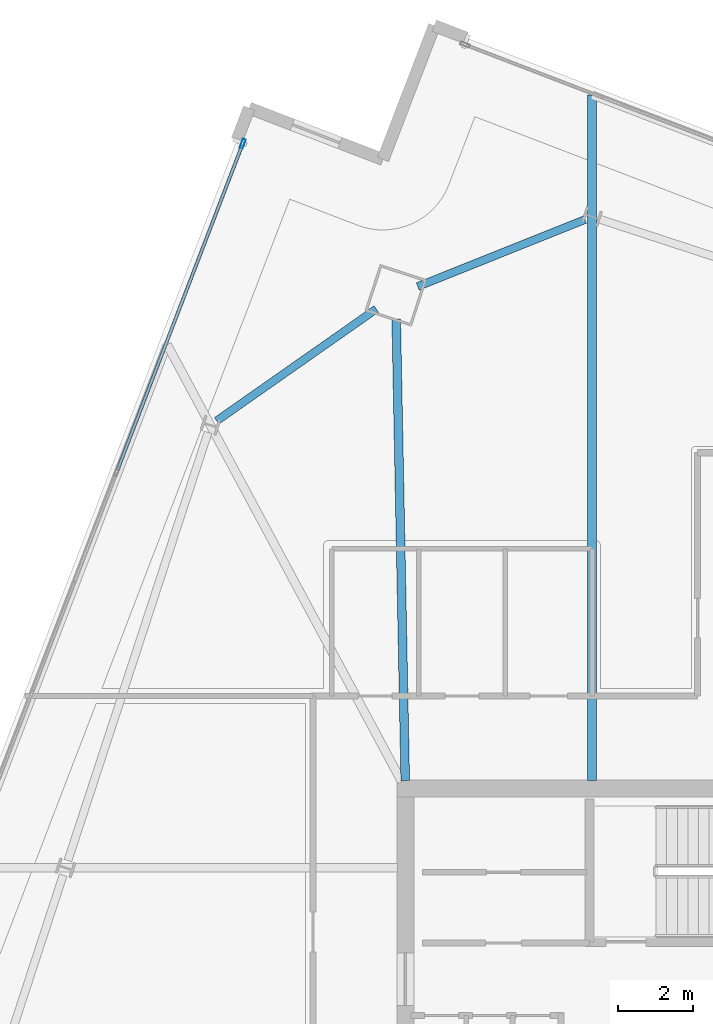
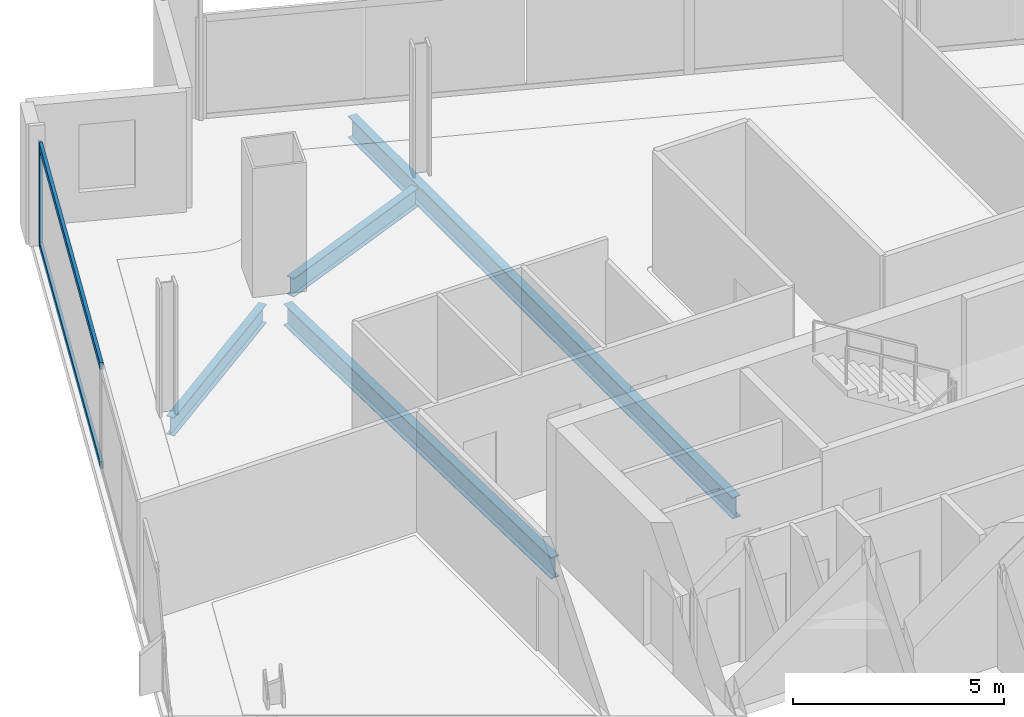
# One storey, part 13 of 27: 4 beams, 3 members, 1 element without a shape of its own.
"""IFC4 building model written with IfcOpenShell, lengths in metres."""

from ifc_helpers import new_model, si_unit, direction, frame, origin, origin_2d, place, context, subcontext, project, spatial, hollow_rectangle, i_section, extrude, material, material_profile, profile_set, type_object, element, aggregate, save


model = new_model("IFC4")

# Units and contexts
model_context = context("Model", 3, precision=1e-05, world=origin(), true_north=direction((0.0, 1.0)))
body_context = subcontext(model_context, "Body", "Model", "MODEL_VIEW")
ifc_project = project(units=[si_unit("LENGTHUNIT", "METRE"), si_unit("AREAUNIT", "SQUARE_METRE"), si_unit("VOLUMEUNIT", "CUBIC_METRE"), si_unit("PLANEANGLEUNIT", "RADIAN"), si_unit("MASSUNIT", "GRAM", prefix="KILO")], contexts=[model_context])

# Site, building, storey
site_placement = place(None, origin())
site = spatial("IfcSite", under=ifc_project, at=site_placement, CompositionType="ELEMENT")
building_placement = place(site_placement, origin())
building = spatial("IfcBuilding", under=site, at=building_placement, Name="Haldenkirk Collegiate Tower", CompositionType="ELEMENT")
storey_placement = place(building_placement, frame((0.0, 0.0, 259.949951171875)))
storey = spatial("IfcBuildingStorey", under=building, at=storey_placement, Name="L65", CompositionType="ELEMENT", Elevation=259.949951171875)

# Beams
ifc_material_1 = material(Name="Steel ASTM A992 Grade 50", Category="steel")
ifc_material_profile_1 = material_profile(ifc_material_1, i_section(OverallWidth=0.22998046875, OverallDepth=0.616943359375, WebThickness=0.01318359375, FlangeThickness=0.022216796875, at=origin_2d()), Name="W24X94")
ifc_profile_set_1 = profile_set([ifc_material_profile_1], Name="Steel ASTM A992 Grade 50")
beam_type_1 = type_object("IfcBeamType", Name="BM-GIRDER-W24X94", PredefinedType="BEAM", material=ifc_profile_set_1)
beam_1_placement = place(storey_placement, frame((26.75732421875, 46.443603515625, -0.578369140625), z_axis=(0.019505953171, -0.999809740796, 0.0), x_axis=(0.999809740796, 0.019505953171, 0.0)))
element("IfcBeam", 1, at=beam_1_placement, inside=storey, type_object=beam_type_1, Name="L65 primary floor girder 03", PredefinedType="BEAM", context=body_context, shape_type="SweptSolid", body=[
    extrude(i_section(OverallWidth=0.22998046875, OverallDepth=0.616943359375, WebThickness=0.01318359375, FlangeThickness=0.022216796875, at=origin_2d()), origin(), (0.0, 0.0, 1.0), 12.240966796875),
])
beam_2_placement = place(storey_placement, frame((31.949462890625, 52.384033203125, -0.578369140625), z_axis=(0.0, -1.0, 0.0), x_axis=(1.0, 0.0, 0.0)))
element("IfcBeam", 2, at=beam_2_placement, inside=storey, type_object=beam_type_1, Name="L65 primary floor girder 10", PredefinedType="BEAM", context=body_context, shape_type="SweptSolid", body=[
    extrude(i_section(OverallWidth=0.22998046875, OverallDepth=0.616943359375, WebThickness=0.01318359375, FlangeThickness=0.022216796875, at=origin_2d()), origin(), (0.0, 0.0, 1.0), 18.178955078125),
])
ifc_material_profile_2 = material_profile(ifc_material_1, i_section(OverallWidth=0.2099609375, OverallDepth=0.537109375, WebThickness=0.010986328125, FlangeThickness=0.017333984375, at=origin_2d()), Name="W21X68")
ifc_profile_set_2 = profile_set([ifc_material_profile_2], Name="Steel ASTM A992 Grade 50")
beam_type_2 = type_object("IfcBeamType", Name="BM-SPANDREL-W21X68", PredefinedType="SPANDREL", material=ifc_profile_set_2)
beam_3_placement = place(storey_placement, frame((31.761474609375, 49.0830078125, -0.538330078125), z_axis=(-0.928296709602, -0.371840313768, 0.0), x_axis=(0.371840313768, -0.928296709602, 0.0)))
element("IfcBeam", 3, at=beam_3_placement, inside=storey, type_object=beam_type_2, Name="L65 perimeter spandrel beam 08", PredefinedType="SPANDREL", context=body_context, shape_type="SweptSolid", body=[
    extrude(i_section(OverallWidth=0.2099609375, OverallDepth=0.537109375, WebThickness=0.010986328125, FlangeThickness=0.017333984375, at=origin_2d()), origin(), (0.0, 0.0, 1.0), 4.77392578125),
])
beam_4_placement = place(storey_placement, frame((26.22900390625, 46.7119140625, -0.538330078125), z_axis=(-0.818927819185, -0.573896529842, 0.0), x_axis=(0.573896529842, -0.818927819185, 0.0)))
element("IfcBeam", 4, at=beam_4_placement, inside=storey, type_object=beam_type_2, Name="L65 perimeter spandrel beam 09", PredefinedType="SPANDREL", context=body_context, shape_type="SweptSolid", body=[
    extrude(i_section(OverallWidth=0.2099609375, OverallDepth=0.537109375, WebThickness=0.010986328125, FlangeThickness=0.017333984375, at=origin_2d()), origin(), (0.0, 0.0, 1.0), 5.169189453125),
])

# Curtain wall, members
ifc_material_2 = material(Name="Anodised architectural bronze aluminium", Category="aluminium")
curtain_wall_type = type_object("IfcCurtainWallType", Name="CW-SYS1B-CONVEX-HI", PredefinedType="USERDEFINED", material=ifc_material_2)
curtain_wall_placement = place(storey_placement, origin())
curtain_wall = element("IfcCurtainWall", 5, at=curtain_wall_placement, inside=storey, type_object=curtain_wall_type, Name="L65 Upper tower high-wind convex bronze unitised curtain wall", ObjectType="UNITISED CURTAIN WALL", PredefinedType="USERDEFINED")
ifc_material_profile_3 = material_profile(ifc_material_2, hollow_rectangle(XDim=0.0849609375, YDim=0.25, WallThickness=0.0048828125, at=origin_2d()), Name="CW-MUL-1B")
ifc_profile_set_3 = profile_set([ifc_material_profile_3], Name="Anodised architectural bronze aluminium")
member_type_1 = type_object("IfcMemberType", Name="CW-MUL-1B", PredefinedType="MULLION", material=ifc_profile_set_3)
member_1_placement = place(storey_placement, frame((22.68896484375, 51.094482421875, 0.0), z_axis=(0.0, 0.0, 1.0), x_axis=(-0.933580053116, 0.358368922235, 0.0)))
member_1 = element("IfcMember", 6, at=member_1_placement, type_object=member_type_1, Name="CW-1B mullion 5", PredefinedType="MULLION", context=body_context, shape_type="SweptSolid", body=[
    extrude(hollow_rectangle(XDim=0.0849609375, YDim=0.25, WallThickness=0.0048828125, at=origin_2d()), origin(), (0.0, 0.0, 1.0), 2.93798828125),
])
ifc_material_profile_4 = material_profile(ifc_material_2, hollow_rectangle(XDim=0.0849609375, YDim=0.199951171875, WallThickness=0.0048828125, at=origin_2d()), Name="CW-TRN-1B")
ifc_profile_set_4 = profile_set([ifc_material_profile_4], Name="Anodised architectural bronze aluminium")
member_type_2 = type_object("IfcMemberType", Name="CW-TRN-1B", PredefinedType="USERDEFINED", material=ifc_profile_set_4)
member_2_placement = place(storey_placement, frame((19.36865234375, 42.44482421875, 0.04248046875), z_axis=(0.358374111529, 0.93357806111, 0.0), x_axis=(-0.93357806111, 0.358374111529, 0.0)))
member_2 = element("IfcMember", 7, at=member_2_placement, type_object=member_type_2, Name="CW-1B transom 4.1", ObjectType="TRANSOM", PredefinedType="USERDEFINED", context=body_context, shape_type="SweptSolid", body=[
    extrude(hollow_rectangle(XDim=0.0849609375, YDim=0.199951171875, WallThickness=0.0048828125, at=origin_2d()), origin(), (0.0, 0.0, 1.0), 9.22265625),
])
member_3_placement = place(storey_placement, frame((19.36865234375, 42.44482421875, 2.8955078125), z_axis=(0.358374111529, 0.93357806111, 0.0), x_axis=(-0.93357806111, 0.358374111529, 0.0)))
member_3 = element("IfcMember", 8, at=member_3_placement, type_object=member_type_2, Name="CW-1B transom 4.2", ObjectType="TRANSOM", PredefinedType="USERDEFINED", context=body_context, shape_type="SweptSolid", body=[
    extrude(hollow_rectangle(XDim=0.0849609375, YDim=0.199951171875, WallThickness=0.0048828125, at=origin_2d()), origin(), (0.0, 0.0, 1.0), 9.22265625),
])
aggregate(curtain_wall, [member_1, member_2, member_3])

save(model, "model.ifc")
